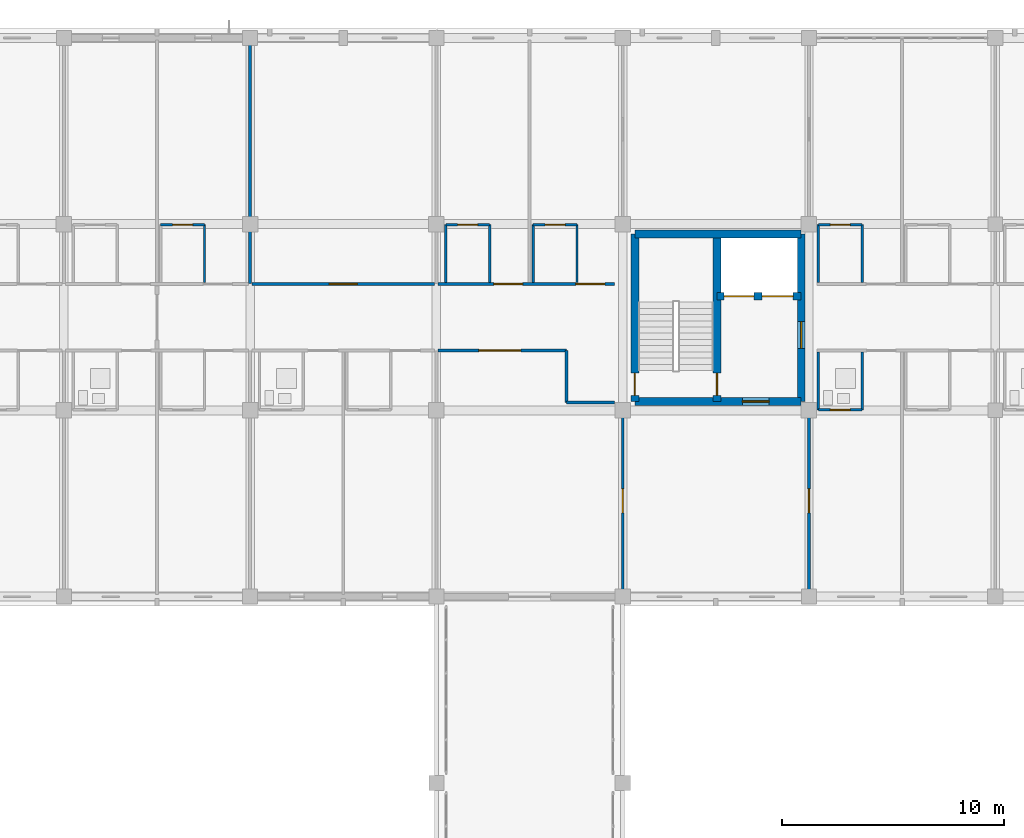
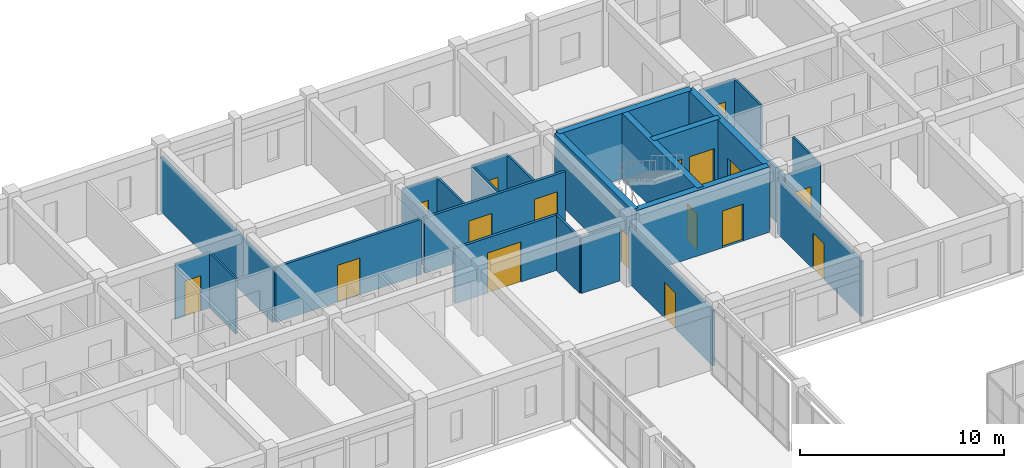
# One storey, part 120 of 140: 28 walls, 17 doors, 17 openings.
"""IFC4 building model written with IfcOpenShell, lengths in metres."""

import ifcopenshell
import ifcopenshell.guid

model = None  # the IFC model being written
_history = None  # IfcOwnerHistory: only IFC2X3 demands one
_inside = {}  # id of a spatial element -> (the spatial element, [elements in it])
_under = {}  # id of a project, library or spatial element -> (it, [spatial elements below it])
_declared = {}  # id of a project -> (the project, [libraries it declares])
_typed = {}  # id of a type object -> (the type object, [elements of that type])
_made_of = {}  # id of a material, layer set ... -> (it, [elements and type objects made of it])


def new_model(schema):
    """Start an empty IFC model of exactly this schema.

    Asked for "IFC4X3", IfcOpenShell would pick the latest addendum, in which some entities
    have other attributes; the version numbers below select the first issue.
    IFC2X3 requires an IfcOwnerHistory on every rooted entity: one is made here for all.
    """
    global model, _history
    if schema == "IFC4X3":
        model = ifcopenshell.file(schema_version=(4, 3, 0, 0))
    else:
        model = ifcopenshell.file(schema=schema)
    _inside.clear()
    _under.clear()
    _declared.clear()
    _typed.clear()
    _made_of.clear()
    _history = None
    if model.schema == "IFC2X3":
        org = make("IfcOrganization", Name="unknown")
        user = make(
            "IfcPersonAndOrganization",
            ThePerson=make("IfcPerson", FamilyName="unknown"),
            TheOrganization=org,
        )
        app = make(
            "IfcApplication",
            ApplicationDeveloper=org,
            Version="unknown",
            ApplicationFullName="unknown",
            ApplicationIdentifier="unknown",
        )
        _history = make(
            "IfcOwnerHistory",
            OwningUser=user,
            OwningApplication=app,
            ChangeAction="ADDED",
            CreationDate=0,
        )
    return model


def make(cls, **values):
    """One entity of the class cls with the attributes given. An attribute that is None is left unset."""
    return model.create_entity(
        cls, **{name: value for name, value in values.items() if value is not None}
    )


def rooted(cls, **values):
    """An entity with a GlobalId (a new one), such as an element, a storey or a relation."""
    return make(cls, GlobalId=ifcopenshell.guid.new(), OwnerHistory=_history, **values)


def si_unit(unit_type, name, prefix=None):
    """IfcSIUnit, for example si_unit("LENGTHUNIT", "METRE", prefix="MILLI")."""
    return make("IfcSIUnit", UnitType=unit_type, Prefix=prefix, Name=name)


def assignment(units):
    """IfcUnitAssignment: the units of a project."""
    return None if units is None else make("IfcUnitAssignment", Units=units)


def point(xyz):
    """IfcCartesianPoint."""
    return None if xyz is None else make("IfcCartesianPoint", Coordinates=xyz)


def direction(xyz):
    """IfcDirection."""
    return None if xyz is None else make("IfcDirection", DirectionRatios=xyz)


def frame(location, z_axis=None, x_axis=None):
    """IfcAxis2Placement3D, a coordinate frame: its origin and axes. An axis left out is left unset."""
    return make(
        "IfcAxis2Placement3D",
        Location=point(location),
        Axis=direction(z_axis),
        RefDirection=direction(x_axis),
    )


def frame_2d(location, x_axis=None):
    """IfcAxis2Placement2D, a coordinate frame in the plane: its origin and x axis."""
    return make(
        "IfcAxis2Placement2D", Location=point(location), RefDirection=direction(x_axis)
    )


def origin():
    """The frame at (0, 0, 0) with its axes left unset."""
    return frame((0.0, 0.0, 0.0))


def place(relative_to, where):
    """IfcLocalPlacement: puts the frame where relative to a parent placement (None: the world)."""
    return make(
        "IfcLocalPlacement", PlacementRelTo=relative_to, RelativePlacement=where
    )


def context(
    kind, dimensions, precision=None, world=None, true_north=None, identifier=None
):
    """IfcGeometricRepresentationContext, for example the 3D "Model" context."""
    return make(
        "IfcGeometricRepresentationContext",
        ContextIdentifier=identifier,
        ContextType=kind,
        CoordinateSpaceDimension=dimensions,
        Precision=precision,
        WorldCoordinateSystem=world,
        TrueNorth=true_north,
    )


def subcontext(parent, identifier, kind, view, scale=None):
    """IfcGeometricRepresentationSubContext, for example "Body" below "Model"."""
    return make(
        "IfcGeometricRepresentationSubContext",
        ContextIdentifier=identifier,
        ContextType=kind,
        ParentContext=parent,
        TargetScale=scale,
        TargetView=view,
    )


def project(units=None, contexts=None):
    """IfcProject with its units and contexts."""
    return rooted(
        "IfcProject",
        Name="project",
        RepresentationContexts=contexts,
        UnitsInContext=assignment(units),
    )


def spatial(cls, under=None, at=None, **own):
    """A site, building, storey or space (cls), placed at a placement, below another one or the project."""
    s = rooted(cls, ObjectPlacement=at, **own)
    if under is not None:
        _under.setdefault(under.id(), (under, []))[1].append(s)
    return s


def profile(cls, at=None, kind="AREA", **sizes):
    """A parametric profile (cls). Its sizes go by their IFC names, for example OverallWidth=200.0."""
    return make(cls, ProfileType=kind, Position=at, **sizes)


def rectangle(**sizes):
    """IfcRectangleProfileDef."""
    return profile("IfcRectangleProfileDef", **sizes)


def extrude(swept, where, along, depth):
    """IfcExtrudedAreaSolid: the profile swept, set in the frame where, extruded along a direction by depth."""
    return make(
        "IfcExtrudedAreaSolid",
        SweptArea=swept,
        Position=where,
        ExtrudedDirection=direction(along),
        Depth=depth,
    )


def shape(context_of_items, identifier, shape_type, items):
    """IfcShapeRepresentation: the items that make up one representation, for example the "Body"."""
    return make(
        "IfcShapeRepresentation",
        ContextOfItems=context_of_items,
        RepresentationIdentifier=identifier,
        RepresentationType=shape_type,
        Items=items,
    )


def material(Name=None, Category=None):
    """IfcMaterial."""
    return make("IfcMaterial", Name=Name, Category=Category)


def layer(
    of_material, thickness, ventilated=None, Name=None, Category=None, Priority=None
):
    """IfcMaterialLayer: one layer of a wall or slab, of a material (None: an air gap)."""
    return make(
        "IfcMaterialLayer",
        Material=of_material,
        LayerThickness=thickness,
        IsVentilated=ventilated,
        Name=Name,
        Category=Category,
        Priority=Priority,
    )


def layer_set(layers, Name=None):
    """IfcMaterialLayerSet."""
    return make("IfcMaterialLayerSet", MaterialLayers=layers, LayerSetName=Name)


def made_of(thing, what):
    """Note that an element or type object is made of a material, layer set ...; save() writes the relation."""
    if what is not None:
        _made_of.setdefault(what.id(), (what, []))[1].append(thing)
    return thing


def type_object(cls, material=None, **own):
    """A type object (cls), such as IfcWallType, which elements share."""
    return made_of(rooted(cls, **own), material)


def element(
    cls,
    number,
    at=None,
    inside=None,
    cuts=None,
    type_object=None,
    material=None,
    context=None,
    identifier="Body",
    shape_type=None,
    held_by="IfcProductDefinitionShape",
    body=None,
    shapes=None,
    **own,
):
    """One element of the class cls, such as IfcWall. Its Tag is "e" and its number.

    at: its placement. inside: the storey or other place that contains it. cuts: it is an
    opening in that element (IfcRelVoidsElement). A single representation is given by context,
    identifier, shape_type and body (its items); several are given by shapes. held_by: the class
    of the entity that holds the representations. save() writes the other relations.
    """
    e = rooted(cls, Tag="e%d" % number, ObjectPlacement=at, **own)
    if body is not None:
        shapes = [shape(context, identifier, shape_type, body)]
    if shapes is not None:
        e.Representation = make(held_by, Representations=shapes)
    if inside is not None:
        _inside.setdefault(inside.id(), (inside, []))[1].append(e)
    if cuts is not None:
        rooted(
            "IfcRelVoidsElement", RelatingBuildingElement=cuts, RelatedOpeningElement=e
        )
    if type_object is not None:
        _typed.setdefault(type_object.id(), (type_object, []))[1].append(e)
    return made_of(e, material)


def fill(opening, filler):
    """IfcRelFillsElement: the door or window that sits in an opening."""
    return rooted(
        "IfcRelFillsElement",
        RelatingOpeningElement=opening,
        RelatedBuildingElement=filler,
    )


def aggregate(whole, parts):
    """IfcRelAggregates: a whole, such as a stair, and the parts it consists of."""
    return rooted("IfcRelAggregates", RelatingObject=whole, RelatedObjects=parts)


def save(model, path):
    """Write the relations noted so far, then the file.

    IfcRelAggregates (storeys below a building ...), IfcRelContainedInSpatialStructure (elements
    in a storey), IfcRelDefinesByType, IfcRelAssociatesMaterial and IfcRelDeclares: one each for
    every whole, place, type object, material and project.
    """
    for whole, parts in _under.values():
        aggregate(whole, parts)
    for where, things in _inside.values():
        rooted(
            "IfcRelContainedInSpatialStructure",
            RelatedElements=things,
            RelatingStructure=where,
        )
    for kind, things in _typed.values():
        rooted("IfcRelDefinesByType", RelatedObjects=things, RelatingType=kind)
    for what, things in _made_of.values():
        rooted("IfcRelAssociatesMaterial", RelatedObjects=things, RelatingMaterial=what)
    for by, libraries in _declared.values():
        rooted("IfcRelDeclares", RelatingContext=by, RelatedDefinitions=libraries)
    model.write(path)


model = new_model("IFC4")

# Units and contexts
model_context = context("Model", 3, precision=1e-05, world=origin(), true_north=direction((0.0, 1.0)))
body_context = subcontext(model_context, "Body", "Model", "MODEL_VIEW")
ifc_project = project(units=[si_unit("LENGTHUNIT", "METRE"), si_unit("AREAUNIT", "SQUARE_METRE"), si_unit("VOLUMEUNIT", "CUBIC_METRE"), si_unit("PLANEANGLEUNIT", "RADIAN"), si_unit("MASSUNIT", "GRAM", prefix="KILO")], contexts=[model_context])

# Site, building, storey
site_placement = place(None, origin())
site = spatial("IfcSite", under=ifc_project, at=site_placement, CompositionType="ELEMENT")
building_placement = place(site_placement, origin())
building = spatial("IfcBuilding", under=site, at=building_placement, Name="Trelvath General Hospital", CompositionType="ELEMENT")
storey_placement = place(building_placement, frame((0.0, 0.0, 16.199951171875)))
storey = spatial("IfcBuildingStorey", under=building, at=storey_placement, Name="L04", CompositionType="ELEMENT", Elevation=16.199951171875)

# Wall, opening, door
ifc_material_1 = material(Name="Gypsum acoustic steel-stud partition", Category="steel")
ifc_layer_1 = layer(ifc_material_1, 0.14990234375)
ifc_layer_set_1 = layer_set([ifc_layer_1], Name="Gypsum acoustic steel-stud partition")
wall_type_1 = type_object("IfcWallType", Name="ClinicalPartition 150", PredefinedType="PARTITIONING", material=ifc_layer_set_1)
wall_1_placement = place(storey_placement, frame((75.52001953125, 106.5, 0.0), z_axis=(0.0, 0.0, 1.0), x_axis=(-1.0, 0.0, 0.0)))
wall_1 = element("IfcWall", 1, at=wall_1_placement, inside=storey, type_object=wall_type_1, Name="Corridor Partition N L04-1620", PredefinedType="PARTITIONING", context=body_context, shape_type="SweptSolid", body=[
    extrude(rectangle(XDim=8.239990234375, YDim=0.14990234375, at=frame_2d((4.1201171875, 0.0))), origin(), (0.0, 0.0, 1.0), 3.300048828125),
])
opening_1_placement = place(wall_1_placement, frame((3.4951171875, 0.0, 0.0)))
opening_1 = element("IfcOpeningElement", 2, at=opening_1_placement, cuts=wall_1, Name="Opening D-4-1100", PredefinedType="OPENING", context=body_context, shape_type="SweptSolid", body=[
    extrude(rectangle(XDim=1.25, YDim=2.199951171875, at=frame_2d((0.625, 1.10009765625))), frame((0.0, 0.0849609375, 0.0), z_axis=(0.0, -1.0, 0.0), x_axis=(1.0, 0.0, 0.0)), (0.0, 0.0, 1.0), 0.169921875),
])
ifc_material_2 = material(Name="Acoustic hospital timber leaf", Category="wood")
door_type_1 = type_object("IfcDoorType", Name="Door Treatment 1250x2200", OperationType="NOTDEFINED", PredefinedType="DOOR", material=ifc_material_2)
door_1_placement = place(opening_1_placement, origin())
door_1 = element("IfcDoor", 3, at=door_1_placement, inside=storey, type_object=door_type_1, Name="Clinical Room Door L04-1100", OperationType="SINGLE_SWING_RIGHT", OverallHeight=2.199951171875, OverallWidth=1.25, PredefinedType="DOOR", context=body_context, shape_type="SweptSolid", body=[
    extrude(rectangle(XDim=1.25, YDim=2.199951171875, at=frame_2d((0.625, 1.10009765625))), frame((0.0, 0.02490234375, 0.0), z_axis=(0.0, -1.0, 0.0), x_axis=(1.0, 0.0, 0.0)), (0.0, 0.0, 1.0), 0.050048828125),
])
fill(opening_1, door_1)

wall_2_placement = place(storey_placement, frame((75.679931640625, 103.5, 0.0), z_axis=(0.0, 0.0, 1.0), x_axis=(1.0, 0.0, 0.0)))
wall_2 = element("IfcWall", 4, at=wall_2_placement, inside=storey, type_object=wall_type_1, Name="Bridge Lounge Partition L04-1623", PredefinedType="PARTITIONING", context=body_context, shape_type="SweptSolid", body=[
    extrude(rectangle(XDim=5.780029296875, YDim=0.14990234375, at=frame_2d((2.89013671875, 0.0))), origin(), (0.0, 0.0, 1.0), 3.300048828125),
])
opening_2_placement = place(wall_2_placement, frame((1.830078125, 0.0, 0.0)))
opening_2 = element("IfcOpeningElement", 5, at=opening_2_placement, cuts=wall_2, Name="Opening D-4-1101", PredefinedType="OPENING", context=body_context, shape_type="SweptSolid", body=[
    extrude(rectangle(XDim=1.89990234375, YDim=2.39990234375, at=frame_2d((0.949951171875, 1.199951171875))), frame((0.0, 0.0849609375, 0.0), z_axis=(0.0, -1.0, 0.0), x_axis=(1.0, 0.0, 0.0)), (0.0, 0.0, 1.0), 0.169921875),
])
ifc_material_3 = material(Name="Thermally broken glazed aluminium pair", Category="aluminium")
door_type_2 = type_object("IfcDoorType", Name="Door BridgeEntry 1900x2400", OperationType="DOUBLE_SWING_LEFT", PredefinedType="DOOR", material=ifc_material_3)
door_2_placement = place(opening_2_placement, origin())
door_2 = element("IfcDoor", 6, at=door_2_placement, inside=storey, type_object=door_type_2, Name="Bridge Lounge Door L04-1101", OperationType="DOUBLE_SWING_LEFT", OverallHeight=2.39990234375, OverallWidth=1.89990234375, PredefinedType="DOOR", context=body_context, shape_type="SweptSolid", body=[
    extrude(rectangle(XDim=1.89990234375, YDim=2.39990234375, at=frame_2d((0.949951171875, 1.199951171875))), frame((0.0, 0.02490234375, 0.0), z_axis=(0.0, -1.0, 0.0), x_axis=(1.0, 0.0, 0.0)), (0.0, 0.0, 1.0), 0.050048828125),
])
fill(opening_2, door_2)

# Wall, openings, doors
wall_3_placement = place(storey_placement, frame((83.639892578125, 106.5, 0.0), z_axis=(0.0, 0.0, 1.0), x_axis=(-1.0, 0.0, 0.0)))
wall_3 = element("IfcWall", 7, at=wall_3_placement, inside=storey, type_object=wall_type_1, Name="Corridor Partition N L04-1626", PredefinedType="PARTITIONING", context=body_context, shape_type="SweptSolid", body=[
    extrude(rectangle(XDim=7.9599609375, YDim=0.14990234375, at=frame_2d((3.97998046875, 0.0))), origin(), (0.0, 0.0, 1.0), 3.300048828125),
])
opening_3_placement = place(wall_3_placement, frame((0.449951171875, 0.0, 0.0)))
opening_3 = element("IfcOpeningElement", 8, at=opening_3_placement, cuts=wall_3, Name="Opening D-4-1102", PredefinedType="OPENING", context=body_context, shape_type="SweptSolid", body=[
    extrude(rectangle(XDim=1.300048828125, YDim=2.25, at=frame_2d((0.64990234375, 1.125))), frame((0.0, 0.0849609375, 0.0), z_axis=(0.0, -1.0, 0.0), x_axis=(1.0, 0.0, 0.0)), (0.0, 0.0, 1.0), 0.169921875),
])
opening_4_placement = place(wall_3_placement, frame((4.14990234375, 0.0, 0.0)))
opening_4 = element("IfcOpeningElement", 9, at=opening_4_placement, cuts=wall_3, Name="Opening D-4-1103", PredefinedType="OPENING", context=body_context, shape_type="SweptSolid", body=[
    extrude(rectangle(XDim=1.300048828125, YDim=2.25, at=frame_2d((0.64990234375, 1.125))), frame((0.0, 0.0849609375, 0.0), z_axis=(0.0, -1.0, 0.0), x_axis=(1.0, 0.0, 0.0)), (0.0, 0.0, 1.0), 0.169921875),
])
ifc_material_4 = material(Name="Hospital bed-leaf timber door", Category="wood")
door_type_3 = type_object("IfcDoorType", Name="Door PatientBed 1300x2250", OperationType="NOTDEFINED", PredefinedType="DOOR", material=ifc_material_4)
door_3_placement = place(opening_3_placement, origin())
door_3 = element("IfcDoor", 10, at=door_3_placement, inside=storey, type_object=door_type_3, Name="Patient Room Door N L04-1102", OperationType="SINGLE_SWING_LEFT", OverallHeight=2.25, OverallWidth=1.300048828125, PredefinedType="DOOR", context=body_context, shape_type="SweptSolid", body=[
    extrude(rectangle(XDim=1.300048828125, YDim=2.25, at=frame_2d((0.64990234375, 1.125))), frame((0.0, 0.02490234375, 0.0), z_axis=(0.0, -1.0, 0.0), x_axis=(1.0, 0.0, 0.0)), (0.0, 0.0, 1.0), 0.050048828125),
])
fill(opening_3, door_3)
door_4_placement = place(opening_4_placement, origin())
door_4 = element("IfcDoor", 11, at=door_4_placement, inside=storey, type_object=door_type_3, Name="Patient Room Door N L04-1103", OperationType="SINGLE_SWING_LEFT", OverallHeight=2.25, OverallWidth=1.300048828125, PredefinedType="DOOR", context=body_context, shape_type="SweptSolid", body=[
    extrude(rectangle(XDim=1.300048828125, YDim=2.25, at=frame_2d((0.64990234375, 1.125))), frame((0.0, 0.02490234375, 0.0), z_axis=(0.0, -1.0, 0.0), x_axis=(1.0, 0.0, 0.0)), (0.0, 0.0, 1.0), 0.050048828125),
])
fill(opening_4, door_4)

# Wall, opening, door
ifc_material_5 = material(Name="Concrete C40/50", Category="concrete")
ifc_layer_2 = layer(ifc_material_5, 0.35009765625)
ifc_layer_set_2 = layer_set([ifc_layer_2], Name="Concrete C40/50")
wall_type_2 = type_object("IfcWallType", Name="CoreShearWall 350", PredefinedType="SHEAR", material=ifc_layer_set_2)
wall_4_placement = place(storey_placement, frame((84.550048828125, 101.199951171875, 0.0), z_axis=(0.0, 0.0, 1.0), x_axis=(1.0, 0.0, 0.0)))
wall_4 = element("IfcWall", 12, at=wall_4_placement, inside=storey, type_object=wall_type_2, Name="Core Shear Wall C2 S L04", PredefinedType="SHEAR", context=body_context, shape_type="SweptSolid", body=[
    extrude(rectangle(XDim=7.5, YDim=0.35009765625, at=frame_2d((3.75, 0.0))), origin(), (0.0, 0.0, 1.0), 3.920166015625),
])
opening_5_placement = place(wall_4_placement, frame((4.85009765625, 0.0, 0.0)))
opening_5 = element("IfcOpeningElement", 13, at=opening_5_placement, cuts=wall_4, Name="Opening FD-LS24", PredefinedType="OPENING", context=body_context, shape_type="SweptSolid", body=[
    extrude(rectangle(XDim=1.199951171875, YDim=2.199951171875, at=frame_2d((0.60009765625, 1.10009765625))), frame((0.0, 0.18505859375, 0.0), z_axis=(0.0, -1.0, 0.0), x_axis=(1.0, 0.0, 0.0)), (0.0, 0.0, 1.0), 0.3701171875),
])
ifc_material_6 = material(Name="Fire-rated steel door", Category="steel")
door_type_4 = type_object("IfcDoorType", Name="Door FireLobby 1200x2200", OperationType="NOTDEFINED", PredefinedType="DOOR", material=ifc_material_6)
door_5_placement = place(opening_5_placement, origin())
door_5 = element("IfcDoor", 14, at=door_5_placement, inside=storey, type_object=door_type_4, Name="Fire Lobby South Door C2 L04", OperationType="SINGLE_SWING_RIGHT", OverallHeight=2.199951171875, OverallWidth=1.199951171875, PredefinedType="DOOR", context=body_context, shape_type="SweptSolid", body=[
    extrude(rectangle(XDim=1.199951171875, YDim=2.199951171875, at=frame_2d((0.60009765625, 1.10009765625))), frame((0.0, 0.02490234375, 0.0), z_axis=(0.0, -1.0, 0.0), x_axis=(1.0, 0.0, 0.0)), (0.0, 0.0, 1.0), 0.050048828125),
])
fill(opening_5, door_5)

# Wall
wall_5_placement = place(storey_placement, frame((84.550048828125, 108.75, 0.0), z_axis=(0.0, 0.0, 1.0), x_axis=(1.0, 0.0, 0.0)))
element("IfcWall", 15, at=wall_5_placement, inside=storey, type_object=wall_type_2, Name="Core Shear Wall C2 N L04", PredefinedType="SHEAR", context=body_context, shape_type="SweptSolid", body=[
    extrude(rectangle(XDim=7.5, YDim=0.35009765625, at=frame_2d((3.75, 0.0))), origin(), (0.0, 0.0, 1.0), 3.920166015625),
])

# Wall, opening, door
wall_6_placement = place(storey_placement, frame((84.550048828125, 101.199951171875, 0.0), z_axis=(0.0, 0.0, 1.0), x_axis=(0.0, 1.0, 0.0)))
wall_6 = element("IfcWall", 16, at=wall_6_placement, inside=storey, type_object=wall_type_2, Name="Core Shear Wall C2 W L04", PredefinedType="SHEAR", context=body_context, shape_type="SweptSolid", body=[
    extrude(rectangle(XDim=7.550048828125, YDim=0.35009765625, at=frame_2d((3.77490234375, 0.0))), origin(), (0.0, 0.0, 1.0), 3.920166015625),
])
opening_6_placement = place(wall_6_placement, frame((0.280029296875, 0.0, 0.0)))
opening_6 = element("IfcOpeningElement", 17, at=opening_6_placement, cuts=wall_6, Name="Opening FD-SW24", PredefinedType="OPENING", context=body_context, shape_type="SweptSolid", body=[
    extrude(rectangle(XDim=1.0, YDim=2.14990234375, at=frame_2d((0.5, 1.074951171875))), frame((0.0, 0.18505859375, 0.0), z_axis=(0.0, -1.0, 0.0), x_axis=(1.0, 0.0, 0.0)), (0.0, 0.0, 1.0), 0.3701171875),
])
ifc_material_7 = material(Name="Fire-rated steel door", Category="steel")
door_type_5 = type_object("IfcDoorType", Name="Door FireStair 1100x2150", OperationType="NOTDEFINED", PredefinedType="DOOR", material=ifc_material_7)
door_6_placement = place(opening_6_placement, origin())
door_6 = element("IfcDoor", 18, at=door_6_placement, inside=storey, type_object=door_type_5, Name="West Corridor Stair Door ST2 L04", OperationType="SINGLE_SWING_LEFT", OverallHeight=2.14990234375, OverallWidth=1.0, PredefinedType="DOOR", context=body_context, shape_type="SweptSolid", body=[
    extrude(rectangle(XDim=1.0, YDim=2.14990234375, at=frame_2d((0.5, 1.074951171875))), frame((0.0, 0.02490234375, 0.0), z_axis=(0.0, -1.0, 0.0), x_axis=(1.0, 0.0, 0.0)), (0.0, 0.0, 1.0), 0.050048828125),
])
fill(opening_6, door_6)

wall_7_placement = place(storey_placement, frame((92.050048828125, 101.199951171875, 0.0), z_axis=(0.0, 0.0, 1.0), x_axis=(0.0, 1.0, 0.0)))
wall_7 = element("IfcWall", 19, at=wall_7_placement, inside=storey, type_object=wall_type_2, Name="Core Shear Wall C2 E L04", PredefinedType="SHEAR", context=body_context, shape_type="SweptSolid", body=[
    extrude(rectangle(XDim=7.550048828125, YDim=0.35009765625, at=frame_2d((3.77490234375, 0.0))), origin(), (0.0, 0.0, 1.0), 3.920166015625),
])
opening_7_placement = place(wall_7_placement, frame((2.39990234375, 0.0, 0.0)))
opening_7 = element("IfcOpeningElement", 20, at=opening_7_placement, cuts=wall_7, Name="Opening FD-LE24", PredefinedType="OPENING", context=body_context, shape_type="SweptSolid", body=[
    extrude(rectangle(XDim=1.199951171875, YDim=2.199951171875, at=frame_2d((0.60009765625, 1.10009765625))), frame((0.0, 0.18505859375, 0.0), z_axis=(0.0, -1.0, 0.0), x_axis=(1.0, 0.0, 0.0)), (0.0, 0.0, 1.0), 0.3701171875),
])
door_7_placement = place(opening_7_placement, origin())
door_7 = element("IfcDoor", 21, at=door_7_placement, inside=storey, type_object=door_type_4, Name="Fire Lobby East Corridor Door C2 L04", OperationType="SINGLE_SWING_LEFT", OverallHeight=2.199951171875, OverallWidth=1.199951171875, PredefinedType="DOOR", context=body_context, shape_type="SweptSolid", body=[
    extrude(rectangle(XDim=1.199951171875, YDim=2.199951171875, at=frame_2d((0.60009765625, 1.10009765625))), frame((0.0, 0.02490234375, 0.0), z_axis=(0.0, -1.0, 0.0), x_axis=(1.0, 0.0, 0.0)), (0.0, 0.0, 1.0), 0.050048828125),
])
fill(opening_7, door_7)

wall_8_placement = place(storey_placement, frame((88.25, 101.199951171875, 0.0), z_axis=(0.0, 0.0, 1.0), x_axis=(0.0, 1.0, 0.0)))
wall_8 = element("IfcWall", 22, at=wall_8_placement, inside=storey, type_object=wall_type_2, Name="Core Shear Wall C2 SPINE L04", PredefinedType="SHEAR", context=body_context, shape_type="SweptSolid", body=[
    extrude(rectangle(XDim=7.550048828125, YDim=0.35009765625, at=frame_2d((3.77490234375, 0.0))), origin(), (0.0, 0.0, 1.0), 3.920166015625),
])
opening_8_placement = place(wall_8_placement, frame((0.280029296875, 0.0, 0.0)))
opening_8 = element("IfcOpeningElement", 23, at=opening_8_placement, cuts=wall_8, Name="Opening FD-S24", PredefinedType="OPENING", context=body_context, shape_type="SweptSolid", body=[
    extrude(rectangle(XDim=1.0, YDim=2.14990234375, at=frame_2d((0.5, 1.074951171875))), frame((0.0, 0.18505859375, 0.0), z_axis=(0.0, -1.0, 0.0), x_axis=(1.0, 0.0, 0.0)), (0.0, 0.0, 1.0), 0.3701171875),
])
door_8_placement = place(opening_8_placement, origin())
door_8 = element("IfcDoor", 24, at=door_8_placement, inside=storey, type_object=door_type_5, Name="Exit Stair Door ST2 L04", OperationType="SINGLE_SWING_RIGHT", OverallHeight=2.14990234375, OverallWidth=1.0, PredefinedType="DOOR", context=body_context, shape_type="SweptSolid", body=[
    extrude(rectangle(XDim=1.0, YDim=2.14990234375, at=frame_2d((0.5, 1.074951171875))), frame((0.0, 0.02490234375, 0.0), z_axis=(0.0, -1.0, 0.0), x_axis=(1.0, 0.0, 0.0)), (0.0, 0.0, 1.0), 0.050048828125),
])
fill(opening_8, door_8)

# Wall, openings, doors
wall_9_placement = place(storey_placement, frame((88.25, 105.949951171875, 0.0), z_axis=(0.0, 0.0, 1.0), x_axis=(1.0, 0.0, 0.0)))
wall_9 = element("IfcWall", 25, at=wall_9_placement, inside=storey, type_object=wall_type_2, Name="Core Shear Wall C2 SHAFT L04", PredefinedType="SHEAR", context=body_context, shape_type="SweptSolid", body=[
    extrude(rectangle(XDim=3.800048828125, YDim=0.35009765625, at=frame_2d((1.89990234375, 0.0))), origin(), (0.0, 0.0, 1.0), 3.920166015625),
])
opening_9_placement = place(wall_9_placement, frame((0.320068359375, 0.0, 0.0)))
opening_9 = element("IfcOpeningElement", 26, at=opening_9_placement, cuts=wall_9, Name="Opening LD-FF2-4", PredefinedType="OPENING", context=body_context, shape_type="SweptSolid", body=[
    extrude(rectangle(XDim=1.35009765625, YDim=2.25, at=frame_2d((0.675048828125, 1.125))), frame((0.0, 0.18505859375, 0.0), z_axis=(0.0, -1.0, 0.0), x_axis=(1.0, 0.0, 0.0)), (0.0, 0.0, 1.0), 0.3701171875),
])
opening_10_placement = place(wall_9_placement, frame((2.0400390625, 0.0, 0.0)))
opening_10 = element("IfcOpeningElement", 27, at=opening_10_placement, cuts=wall_9, Name="Opening LD-BD2-4", PredefinedType="OPENING", context=body_context, shape_type="SweptSolid", body=[
    extrude(rectangle(XDim=1.39990234375, YDim=2.25, at=frame_2d((0.699951171875, 1.125))), frame((0.0, 0.18505859375, 0.0), z_axis=(0.0, -1.0, 0.0), x_axis=(1.0, 0.0, 0.0)), (0.0, 0.0, 1.0), 0.3701171875),
])
ifc_material_8 = material(Name="Stainless steel stretcher lift landing door", Category="steel")
door_type_6 = type_object("IfcDoorType", Name="Door LiftBed 1400x2250", OperationType="SLIDING_TO_LEFT", PredefinedType="DOOR", material=ifc_material_8)
door_9_placement = place(opening_10_placement, origin())
door_9 = element("IfcDoor", 28, at=door_9_placement, inside=storey, type_object=door_type_6, Name="Lift Landing Sliding Door LF-BD2 L04", OperationType="SLIDING_TO_LEFT", OverallHeight=2.25, OverallWidth=1.39990234375, PredefinedType="DOOR", context=body_context, shape_type="SweptSolid", body=[
    extrude(rectangle(XDim=1.39990234375, YDim=2.25, at=frame_2d((0.699951171875, 1.125))), frame((0.0, 0.02490234375, 0.0), z_axis=(0.0, -1.0, 0.0), x_axis=(1.0, 0.0, 0.0)), (0.0, 0.0, 1.0), 0.050048828125),
])
fill(opening_10, door_9)
ifc_material_9 = material(Name="Fire-rated stainless lift landing door")
door_type_7 = type_object("IfcDoorType", Name="Door LiftFire 1350x2250", OperationType="SLIDING_TO_LEFT", PredefinedType="DOOR", material=ifc_material_9)
door_10_placement = place(opening_9_placement, origin())
door_10 = element("IfcDoor", 29, at=door_10_placement, inside=storey, type_object=door_type_7, Name="Lift Landing Sliding Door LF-FF2 L04", OperationType="SLIDING_TO_LEFT", OverallHeight=2.25, OverallWidth=1.35009765625, PredefinedType="DOOR", context=body_context, shape_type="SweptSolid", body=[
    extrude(rectangle(XDim=1.35009765625, YDim=2.25, at=frame_2d((0.675048828125, 1.125))), frame((0.0, 0.02490234375, 0.0), z_axis=(0.0, -1.0, 0.0), x_axis=(1.0, 0.0, 0.0)), (0.0, 0.0, 1.0), 0.050048828125),
])
fill(opening_9, door_10)

# Wall
ifc_material_10 = material(Name="Moisture-resistant tile partition")
ifc_layer_3 = layer(ifc_material_10, 0.110107421875)
ifc_layer_set_3 = layer_set([ifc_layer_3], Name="Moisture-resistant tile partition")
wall_type_3 = type_object("IfcWallType", Name="EnSuiteWetWall 110", PredefinedType="PARTITIONING", material=ifc_layer_set_3)
wall_10_placement = place(storey_placement, frame((65.139892578125, 106.570068359375, 0.0), z_axis=(0.0, 0.0, 1.0), x_axis=(0.0, 1.0, 0.0)))
element("IfcWall", 30, at=wall_10_placement, inside=storey, type_object=wall_type_3, Name="En-Suite E Wall N L04-1607", PredefinedType="PARTITIONING", context=body_context, shape_type="SweptSolid", body=[
    extrude(rectangle(XDim=2.60986328125, YDim=0.110107421875, at=frame_2d((1.304931640625, 0.0))), origin(), (0.0, 0.0, 1.0), 3.300048828125),
])

# Wall, opening, door
wall_11_placement = place(storey_placement, frame((63.159912109375, 109.179931640625, 0.0), z_axis=(0.0, 0.0, 1.0), x_axis=(1.0, 0.0, 0.0)))
wall_11 = element("IfcWall", 31, at=wall_11_placement, inside=storey, type_object=wall_type_3, Name="En-Suite Bathroom N Partition L04-1608", PredefinedType="PARTITIONING", context=body_context, shape_type="SweptSolid", body=[
    extrude(rectangle(XDim=1.97998046875, YDim=0.110107421875, at=frame_2d((0.989990234375, 0.0))), origin(), (0.0, 0.0, 1.0), 3.300048828125),
])
opening_11_placement = place(wall_11_placement, frame((0.5400390625, 0.0, 0.0)))
opening_11 = element("IfcOpeningElement", 32, at=opening_11_placement, cuts=wall_11, Name="Opening D-4-1094", PredefinedType="OPENING", context=body_context, shape_type="SweptSolid", body=[
    extrude(rectangle(XDim=0.89990234375, YDim=2.10009765625, at=frame_2d((0.449951171875, 1.050048828125))), frame((0.0, 0.06494140625, 0.0), z_axis=(0.0, -1.0, 0.0), x_axis=(1.0, 0.0, 0.0)), (0.0, 0.0, 1.0), 0.130126953125),
])
ifc_material_11 = material(Name="Moisture-sealed timber leaf", Category="wood")
door_type_8 = type_object("IfcDoorType", Name="Door EnSuite 900x2100", OperationType="NOTDEFINED", PredefinedType="DOOR", material=ifc_material_11)
door_11_placement = place(opening_11_placement, origin())
door_11 = element("IfcDoor", 33, at=door_11_placement, inside=storey, type_object=door_type_8, Name="En-Suite Bathroom N Door L04-1094", OperationType="SINGLE_SWING_LEFT", OverallHeight=2.10009765625, OverallWidth=0.89990234375, PredefinedType="DOOR", context=body_context, shape_type="SweptSolid", body=[
    extrude(rectangle(XDim=0.89990234375, YDim=2.10009765625, at=frame_2d((0.449951171875, 1.050048828125))), frame((0.0, 0.02490234375, 0.0), z_axis=(0.0, -1.0, 0.0), x_axis=(1.0, 0.0, 0.0)), (0.0, 0.0, 1.0), 0.050048828125),
])
fill(opening_11, door_11)

# Walls
for number, where, z_axis, x_axis, name in (
    (34, (76.02001953125, 106.570068359375, 0.0), (0.0, 0.0, 1.0), (0.0, 1.0, 0.0), "En-Suite W Wall N L04-1628"),
    (35, (78.0, 106.570068359375, 0.0), (0.0, 0.0, 1.0), (0.0, 1.0, 0.0), "En-Suite E Wall N L04-1629"),
):
    element("IfcWall", number, at=place(storey_placement, frame(where, z_axis=z_axis, x_axis=x_axis)), inside=storey, type_object=wall_type_3, Name=name, PredefinedType="PARTITIONING", context=body_context, shape_type="SweptSolid", body=[
        extrude(rectangle(XDim=2.60986328125, YDim=0.110107421875, at=frame_2d((1.304931640625, 0.0))), origin(), (0.0, 0.0, 1.0), 3.300048828125),
    ])

# Wall, opening, door
wall_12_placement = place(storey_placement, frame((76.02001953125, 109.179931640625, 0.0), z_axis=(0.0, 0.0, 1.0), x_axis=(1.0, 0.0, 0.0)))
wall_12 = element("IfcWall", 36, at=wall_12_placement, inside=storey, type_object=wall_type_3, Name="En-Suite Bathroom N Partition L04-1630", PredefinedType="PARTITIONING", context=body_context, shape_type="SweptSolid", body=[
    extrude(rectangle(XDim=1.97998046875, YDim=0.110107421875, at=frame_2d((0.989990234375, 0.0))), origin(), (0.0, 0.0, 1.0), 3.300048828125),
])
opening_12_placement = place(wall_12_placement, frame((0.5400390625, 0.0, 0.0)))
opening_12 = element("IfcOpeningElement", 37, at=opening_12_placement, cuts=wall_12, Name="Opening D-4-1104", PredefinedType="OPENING", context=body_context, shape_type="SweptSolid", body=[
    extrude(rectangle(XDim=0.89990234375, YDim=2.10009765625, at=frame_2d((0.449951171875, 1.050048828125))), frame((0.0, 0.06494140625, 0.0), z_axis=(0.0, -1.0, 0.0), x_axis=(1.0, 0.0, 0.0)), (0.0, 0.0, 1.0), 0.130126953125),
])
door_12_placement = place(opening_12_placement, origin())
door_12 = element("IfcDoor", 38, at=door_12_placement, inside=storey, type_object=door_type_8, Name="En-Suite Bathroom N Door L04-1104", OperationType="SINGLE_SWING_RIGHT", OverallHeight=2.10009765625, OverallWidth=0.89990234375, PredefinedType="DOOR", context=body_context, shape_type="SweptSolid", body=[
    extrude(rectangle(XDim=0.89990234375, YDim=2.10009765625, at=frame_2d((0.449951171875, 1.050048828125))), frame((0.0, 0.02490234375, 0.0), z_axis=(0.0, -1.0, 0.0), x_axis=(1.0, 0.0, 0.0)), (0.0, 0.0, 1.0), 0.050048828125),
])
fill(opening_12, door_12)

# Walls
for number, where, z_axis, x_axis, name in (
    (39, (79.9599609375, 106.570068359375, 0.0), (0.0, 0.0, 1.0), (0.0, 1.0, 0.0), "En-Suite W Wall N L04-1631"),
    (40, (81.93994140625, 106.570068359375, 0.0), (0.0, 0.0, 1.0), (0.0, 1.0, 0.0), "En-Suite E Wall N L04-1632"),
):
    element("IfcWall", number, at=place(storey_placement, frame(where, z_axis=z_axis, x_axis=x_axis)), inside=storey, type_object=wall_type_3, Name=name, PredefinedType="PARTITIONING", context=body_context, shape_type="SweptSolid", body=[
        extrude(rectangle(XDim=2.60986328125, YDim=0.110107421875, at=frame_2d((1.304931640625, 0.0))), origin(), (0.0, 0.0, 1.0), 3.300048828125),
    ])

# Wall, opening, door
wall_13_placement = place(storey_placement, frame((79.9599609375, 109.179931640625, 0.0), z_axis=(0.0, 0.0, 1.0), x_axis=(1.0, 0.0, 0.0)))
wall_13 = element("IfcWall", 41, at=wall_13_placement, inside=storey, type_object=wall_type_3, Name="En-Suite Bathroom N Partition L04-1633", PredefinedType="PARTITIONING", context=body_context, shape_type="SweptSolid", body=[
    extrude(rectangle(XDim=1.97998046875, YDim=0.110107421875, at=frame_2d((0.989990234375, 0.0))), origin(), (0.0, 0.0, 1.0), 3.300048828125),
])
opening_13_placement = place(wall_13_placement, frame((0.5400390625, 0.0, 0.0)))
opening_13 = element("IfcOpeningElement", 42, at=opening_13_placement, cuts=wall_13, Name="Opening D-4-1105", PredefinedType="OPENING", context=body_context, shape_type="SweptSolid", body=[
    extrude(rectangle(XDim=0.89990234375, YDim=2.10009765625, at=frame_2d((0.449951171875, 1.050048828125))), frame((0.0, 0.06494140625, 0.0), z_axis=(0.0, -1.0, 0.0), x_axis=(1.0, 0.0, 0.0)), (0.0, 0.0, 1.0), 0.130126953125),
])
door_13_placement = place(opening_13_placement, origin())
door_13 = element("IfcDoor", 43, at=door_13_placement, inside=storey, type_object=door_type_8, Name="En-Suite Bathroom N Door L04-1105", OperationType="SINGLE_SWING_LEFT", OverallHeight=2.10009765625, OverallWidth=0.89990234375, PredefinedType="DOOR", context=body_context, shape_type="SweptSolid", body=[
    extrude(rectangle(XDim=0.89990234375, YDim=2.10009765625, at=frame_2d((0.449951171875, 1.050048828125))), frame((0.0, 0.02490234375, 0.0), z_axis=(0.0, -1.0, 0.0), x_axis=(1.0, 0.0, 0.0)), (0.0, 0.0, 1.0), 0.050048828125),
])
fill(opening_13, door_13)

# Walls
for number, where, z_axis, x_axis, name in (
    (44, (92.820068359375, 100.820068359375, 0.0), (0.0, 0.0, 1.0), (0.0, 1.0, 0.0), "En-Suite W Wall L04-1640"),
    (45, (94.800048828125, 100.820068359375, 0.0), (0.0, 0.0, 1.0), (0.0, 1.0, 0.0), "En-Suite E Wall L04-1641"),
):
    element("IfcWall", number, at=place(storey_placement, frame(where, z_axis=z_axis, x_axis=x_axis)), inside=storey, type_object=wall_type_3, Name=name, PredefinedType="PARTITIONING", context=body_context, shape_type="SweptSolid", body=[
        extrude(rectangle(XDim=2.60986328125, YDim=0.110107421875, at=frame_2d((1.304931640625, 0.0))), origin(), (0.0, 0.0, 1.0), 3.300048828125),
    ])

# Wall, opening, door
wall_14_placement = place(storey_placement, frame((92.820068359375, 100.820068359375, 0.0), z_axis=(0.0, 0.0, 1.0), x_axis=(1.0, 0.0, 0.0)))
wall_14 = element("IfcWall", 46, at=wall_14_placement, inside=storey, type_object=wall_type_3, Name="En-Suite Bathroom Partition L04-1642", PredefinedType="PARTITIONING", context=body_context, shape_type="SweptSolid", body=[
    extrude(rectangle(XDim=1.97998046875, YDim=0.110107421875, at=frame_2d((0.989990234375, 0.0))), origin(), (0.0, 0.0, 1.0), 3.300048828125),
])
opening_14_placement = place(wall_14_placement, frame((0.5400390625, 0.0, 0.0)))
opening_14 = element("IfcOpeningElement", 47, at=opening_14_placement, cuts=wall_14, Name="Opening D-4-1112", PredefinedType="OPENING", context=body_context, shape_type="SweptSolid", body=[
    extrude(rectangle(XDim=0.89990234375, YDim=2.10009765625, at=frame_2d((0.449951171875, 1.050048828125))), frame((0.0, 0.06494140625, 0.0), z_axis=(0.0, -1.0, 0.0), x_axis=(1.0, 0.0, 0.0)), (0.0, 0.0, 1.0), 0.130126953125),
])
door_14_placement = place(opening_14_placement, origin())
door_14 = element("IfcDoor", 48, at=door_14_placement, inside=storey, type_object=door_type_8, Name="En-Suite Bathroom Door L04-1112", OperationType="SINGLE_SWING_RIGHT", OverallHeight=2.10009765625, OverallWidth=0.89990234375, PredefinedType="DOOR", context=body_context, shape_type="SweptSolid", body=[
    extrude(rectangle(XDim=0.89990234375, YDim=2.10009765625, at=frame_2d((0.449951171875, 1.050048828125))), frame((0.0, 0.02490234375, 0.0), z_axis=(0.0, -1.0, 0.0), x_axis=(1.0, 0.0, 0.0)), (0.0, 0.0, 1.0), 0.050048828125),
])
fill(opening_14, door_14)

# Walls
for number, where, z_axis, x_axis, name in (
    (49, (92.820068359375, 106.570068359375, 0.0), (0.0, 0.0, 1.0), (0.0, 1.0, 0.0), "En-Suite W Wall N L04-1648"),
    (50, (94.800048828125, 106.570068359375, 0.0), (0.0, 0.0, 1.0), (0.0, 1.0, 0.0), "En-Suite E Wall N L04-1649"),
):
    element("IfcWall", number, at=place(storey_placement, frame(where, z_axis=z_axis, x_axis=x_axis)), inside=storey, type_object=wall_type_3, Name=name, PredefinedType="PARTITIONING", context=body_context, shape_type="SweptSolid", body=[
        extrude(rectangle(XDim=2.60986328125, YDim=0.110107421875, at=frame_2d((1.304931640625, 0.0))), origin(), (0.0, 0.0, 1.0), 3.300048828125),
    ])

# Wall, opening, door
wall_15_placement = place(storey_placement, frame((92.820068359375, 109.179931640625, 0.0), z_axis=(0.0, 0.0, 1.0), x_axis=(1.0, 0.0, 0.0)))
wall_15 = element("IfcWall", 51, at=wall_15_placement, inside=storey, type_object=wall_type_3, Name="En-Suite Bathroom N Partition L04-1650", PredefinedType="PARTITIONING", context=body_context, shape_type="SweptSolid", body=[
    extrude(rectangle(XDim=1.97998046875, YDim=0.110107421875, at=frame_2d((0.989990234375, 0.0))), origin(), (0.0, 0.0, 1.0), 3.300048828125),
])
opening_15_placement = place(wall_15_placement, frame((0.5400390625, 0.0, 0.0)))
opening_15 = element("IfcOpeningElement", 52, at=opening_15_placement, cuts=wall_15, Name="Opening D-4-1116", PredefinedType="OPENING", context=body_context, shape_type="SweptSolid", body=[
    extrude(rectangle(XDim=0.89990234375, YDim=2.10009765625, at=frame_2d((0.449951171875, 1.050048828125))), frame((0.0, 0.06494140625, 0.0), z_axis=(0.0, -1.0, 0.0), x_axis=(1.0, 0.0, 0.0)), (0.0, 0.0, 1.0), 0.130126953125),
])
door_15_placement = place(opening_15_placement, origin())
door_15 = element("IfcDoor", 53, at=door_15_placement, inside=storey, type_object=door_type_8, Name="En-Suite Bathroom N Door L04-1116", OperationType="SINGLE_SWING_LEFT", OverallHeight=2.10009765625, OverallWidth=0.89990234375, PredefinedType="DOOR", context=body_context, shape_type="SweptSolid", body=[
    extrude(rectangle(XDim=0.89990234375, YDim=2.10009765625, at=frame_2d((0.449951171875, 1.050048828125))), frame((0.0, 0.02490234375, 0.0), z_axis=(0.0, -1.0, 0.0), x_axis=(1.0, 0.0, 0.0)), (0.0, 0.0, 1.0), 0.050048828125),
])
fill(opening_15, door_15)

# Walls
ifc_material_12 = material(Name="Gypsum acoustic steel-stud partition", Category="steel")
ifc_layer_4 = layer(ifc_material_12, 0.1298828125)
ifc_layer_set_4 = layer_set([ifc_layer_4], Name="Gypsum acoustic steel-stud partition")
wall_type_4 = type_object("IfcWallType", Name="WardPartition 130", PredefinedType="PARTITIONING", material=ifc_layer_set_4)
wall_16_placement = place(storey_placement, frame((67.199951171875, 106.52001953125, 0.0), z_axis=(0.0, 0.0, 1.0), x_axis=(0.0, 1.0, 0.0)))
element("IfcWall", 54, at=wall_16_placement, inside=storey, type_object=wall_type_4, Name="Inter-Bay Ward Partition N L04-1611", PredefinedType="PARTITIONING", context=body_context, shape_type="SweptSolid", body=[
    extrude(rectangle(XDim=10.93994140625, YDim=0.1298828125, at=frame_2d((5.469970703125, 0.0))), origin(), (0.0, 0.0, 1.0), 3.300048828125),
])
wall_17_placement = place(storey_placement, frame((81.4599609375, 101.159912109375, 0.0), z_axis=(0.0, 0.0, 1.0), x_axis=(0.0, 1.0, 0.0)))
element("IfcWall", 55, at=wall_17_placement, inside=storey, type_object=wall_type_4, Name="Nurse Alcove Partition L04-1624", PredefinedType="PARTITIONING", context=body_context, shape_type="SweptSolid", body=[
    extrude(rectangle(XDim=2.340087890625, YDim=0.1298828125, at=frame_2d((1.169921875, 0.0))), origin(), (0.0, 0.0, 1.0), 3.300048828125),
])
wall_18_placement = place(storey_placement, frame((81.4599609375, 101.159912109375, 0.0), z_axis=(0.0, 0.0, 1.0), x_axis=(1.0, 0.0, 0.0)))
element("IfcWall", 56, at=wall_18_placement, inside=storey, type_object=wall_type_4, Name="Bridge Alcove Return L04-1625", PredefinedType="PARTITIONING", context=body_context, shape_type="SweptSolid", body=[
    extrude(rectangle(XDim=2.179931640625, YDim=0.1298828125, at=frame_2d((1.08984375, 0.0))), origin(), (0.0, 0.0, 1.0), 3.300048828125),
])

# Wall, opening, door
wall_19_placement = place(storey_placement, frame((84.0, 92.5400390625, 0.0), z_axis=(0.0, 0.0, 1.0), x_axis=(0.0, 1.0, 0.0)))
wall_19 = element("IfcWall", 57, at=wall_19_placement, inside=storey, type_object=wall_type_4, Name="Inter-Bay Ward Partition S L04-1634", PredefinedType="PARTITIONING", context=body_context, shape_type="SweptSolid", body=[
    extrude(rectangle(XDim=8.2099609375, YDim=0.1298828125, at=frame_2d((4.10498046875, 0.0))), origin(), (0.0, 0.0, 1.0), 3.300048828125),
])
opening_16_placement = place(wall_19_placement, frame((3.639892578125, 0.0, 0.0)))
opening_16 = element("IfcOpeningElement", 58, at=opening_16_placement, cuts=wall_19, Name="Opening D-4-1106", PredefinedType="OPENING", context=body_context, shape_type="SweptSolid", body=[
    extrude(rectangle(XDim=1.080078125, YDim=2.14990234375, at=frame_2d((0.5400390625, 1.074951171875))), frame((0.0, 0.074951171875, 0.0), z_axis=(0.0, -1.0, 0.0), x_axis=(1.0, 0.0, 0.0)), (0.0, 0.0, 1.0), 0.14990234375),
])
ifc_material_13 = material(Name="Acoustic hospital timber leaf", Category="wood")
door_type_9 = type_object("IfcDoorType", Name="Door CleanSupply 1080x2150", OperationType="NOTDEFINED", PredefinedType="DOOR", material=ifc_material_13)
door_16_placement = place(opening_16_placement, origin())
door_16 = element("IfcDoor", 59, at=door_16_placement, inside=storey, type_object=door_type_9, Name="Clean Supply Connecting Door L04-1106", OperationType="SINGLE_SWING_RIGHT", OverallHeight=2.14990234375, OverallWidth=1.080078125, PredefinedType="DOOR", context=body_context, shape_type="SweptSolid", body=[
    extrude(rectangle(XDim=1.080078125, YDim=2.14990234375, at=frame_2d((0.5400390625, 1.074951171875))), frame((0.0, 0.02490234375, 0.0), z_axis=(0.0, -1.0, 0.0), x_axis=(1.0, 0.0, 0.0)), (0.0, 0.0, 1.0), 0.050048828125),
])
fill(opening_16, door_16)

wall_20_placement = place(storey_placement, frame((92.39990234375, 92.5400390625, 0.0), z_axis=(0.0, 0.0, 1.0), x_axis=(0.0, 1.0, 0.0)))
wall_20 = element("IfcWall", 60, at=wall_20_placement, inside=storey, type_object=wall_type_4, Name="Inter-Bay Ward Partition S L04-1636", PredefinedType="PARTITIONING", context=body_context, shape_type="SweptSolid", body=[
    extrude(rectangle(XDim=8.2099609375, YDim=0.1298828125, at=frame_2d((4.10498046875, 0.0))), origin(), (0.0, 0.0, 1.0), 3.300048828125),
])
opening_17_placement = place(wall_20_placement, frame((3.639892578125, 0.0, 0.0)))
opening_17 = element("IfcOpeningElement", 61, at=opening_17_placement, cuts=wall_20, Name="Opening D-4-1108", PredefinedType="OPENING", context=body_context, shape_type="SweptSolid", body=[
    extrude(rectangle(XDim=1.080078125, YDim=2.14990234375, at=frame_2d((0.5400390625, 1.074951171875))), frame((0.0, 0.074951171875, 0.0), z_axis=(0.0, -1.0, 0.0), x_axis=(1.0, 0.0, 0.0)), (0.0, 0.0, 1.0), 0.14990234375),
])
door_17_placement = place(opening_17_placement, origin())
door_17 = element("IfcDoor", 62, at=door_17_placement, inside=storey, type_object=door_type_9, Name="Clean Supply Connecting Door L04-1108", OperationType="SINGLE_SWING_RIGHT", OverallHeight=2.14990234375, OverallWidth=1.080078125, PredefinedType="DOOR", context=body_context, shape_type="SweptSolid", body=[
    extrude(rectangle(XDim=1.080078125, YDim=2.14990234375, at=frame_2d((0.5400390625, 1.074951171875))), frame((0.0, 0.02490234375, 0.0), z_axis=(0.0, -1.0, 0.0), x_axis=(1.0, 0.0, 0.0)), (0.0, 0.0, 1.0), 0.050048828125),
])
fill(opening_17, door_17)

save(model, "model.ifc")
